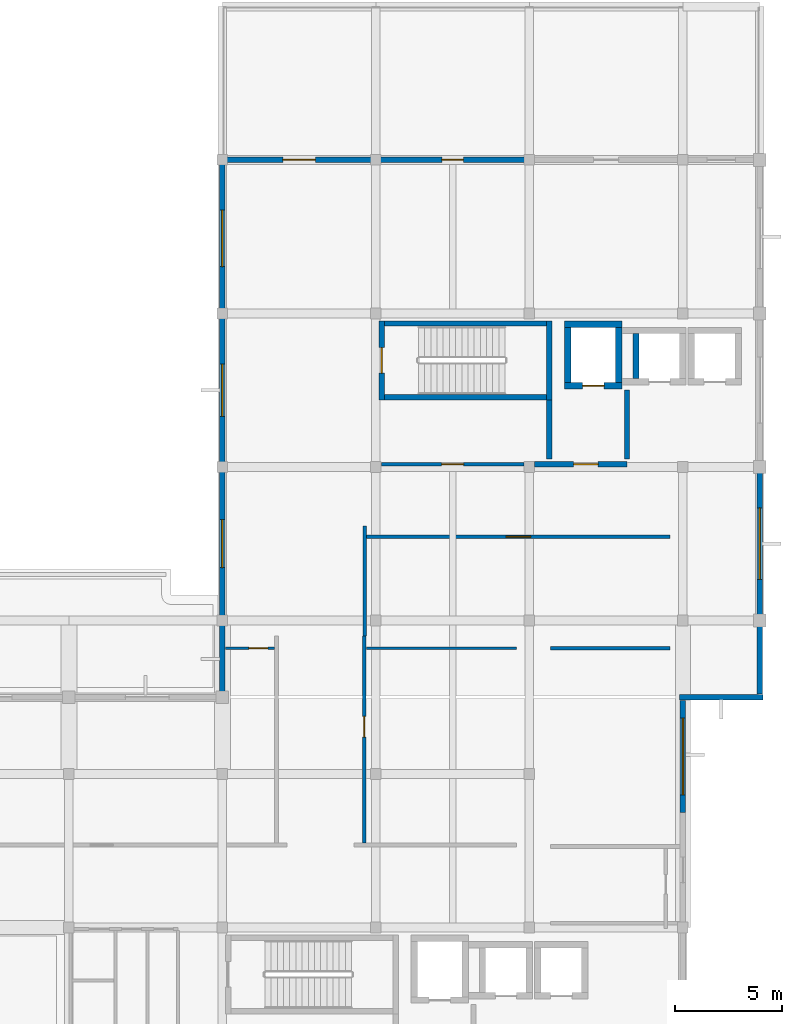
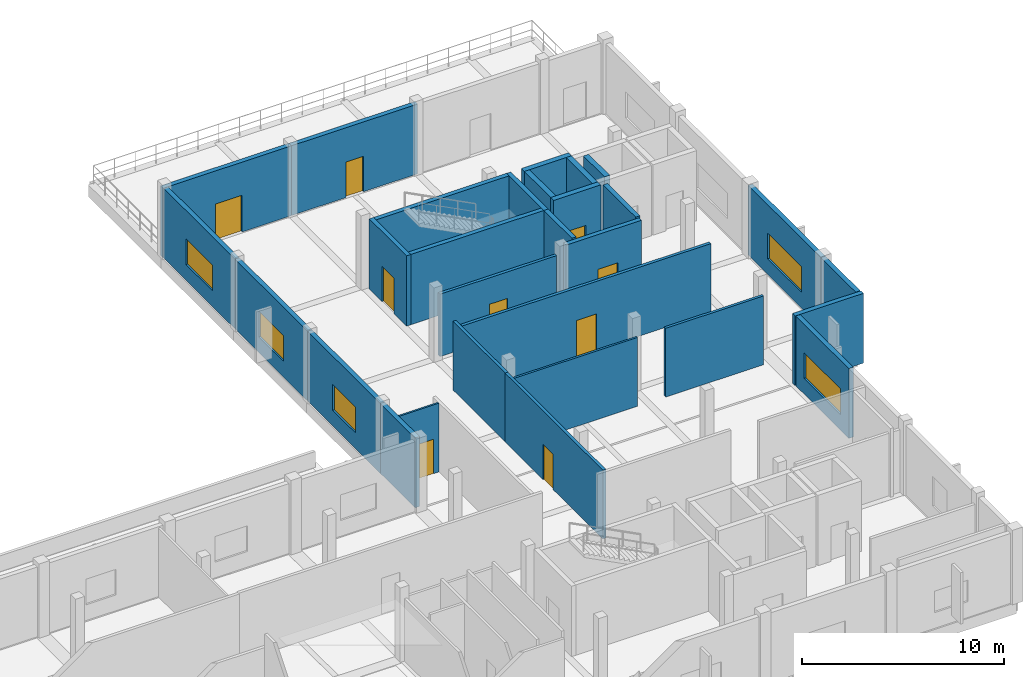
# One storey, part 5 of 9: 29 walls, 9 doors, 5 windows, 14 openings.
"""IFC4 building model written with IfcOpenShell, lengths in metres."""

from ifc_helpers import new_model, si_unit, direction, frame, frame_2d, origin, place, context, subcontext, project, spatial, rectangle, extrude, material, layer, layer_set, type_object, element, fill, save


model = new_model("IFC4")

# Units and contexts
model_context = context("Model", 3, precision=1e-05, world=origin(), true_north=direction((0.0, 1.0)))
body_context = subcontext(model_context, "Body", "Model", "MODEL_VIEW")
ifc_project = project(units=[si_unit("LENGTHUNIT", "METRE"), si_unit("AREAUNIT", "SQUARE_METRE"), si_unit("VOLUMEUNIT", "CUBIC_METRE"), si_unit("PLANEANGLEUNIT", "RADIAN"), si_unit("MASSUNIT", "GRAM", prefix="KILO")], contexts=[model_context])

# Site, building, storey
site_placement = place(None, origin())
site = spatial("IfcSite", under=ifc_project, at=site_placement, CompositionType="ELEMENT")
building_placement = place(site_placement, origin())
building = spatial("IfcBuilding", under=site, at=building_placement, Name="Seraya Terrace Polytechnic", CompositionType="ELEMENT")
storey_placement = place(building_placement, frame((0.0, 0.0, 32.39990234375)))
storey = spatial("IfcBuildingStorey", under=building, at=storey_placement, Name="L07", CompositionType="ELEMENT", Elevation=32.39990234375)

# Wall
ifc_material_1 = material(Name="Precast concrete C40/50", Category="concrete")
ifc_layer_1 = layer(ifc_material_1, 0.260009765625, Name="EW-03")
ifc_layer_set_1 = layer_set([ifc_layer_1], Name="Precast concrete C40/50")
wall_type_1 = type_object("IfcWallType", Name="EW-03", PredefinedType="SOLIDWALL", material=ifc_layer_set_1)
wall_1_placement = place(storey_placement, frame((79.199951171875, 25.35205078125, 0.0), z_axis=(0.0, 0.0, 1.0), x_axis=(0.0, 1.0, 0.0)))
element("IfcWall", 1, at=wall_1_placement, inside=storey, type_object=wall_type_1, Name="Exterior structural wall EW-03 L07", PredefinedType="SOLIDWALL", context=body_context, shape_type="SweptSolid", body=[
    extrude(rectangle(XDim=3.447998046875, YDim=0.260009765625, at=frame_2d((1.72412109375, 0.0))), origin(), (0.0, 0.0, 1.0), 4.22021484375),
])

# Wall, opening, window
wall_2_placement = place(storey_placement, frame((79.199951171875, 28.800048828125, 0.0), z_axis=(0.0, 0.0, 1.0), x_axis=(0.0, 1.0, 0.0)))
wall_2 = element("IfcWall", 2, at=wall_2_placement, inside=storey, type_object=wall_type_1, Name="Exterior structural wall EW-03 L07", PredefinedType="SOLIDWALL", context=body_context, shape_type="SweptSolid", body=[
    extrude(rectangle(XDim=7.199951171875, YDim=0.260009765625, at=frame_2d((3.60009765625, 0.0))), origin(), (0.0, 0.0, 1.0), 4.22021484375),
])
opening_1_placement = place(wall_2_placement, frame((2.47509765625, 0.0, 0.949951171875)))
opening_1 = element("IfcOpeningElement", 3, at=opening_1_placement, cuts=wall_2, Name="Opening WN-20", PredefinedType="OPENING", context=body_context, shape_type="SweptSolid", body=[
    extrude(rectangle(XDim=2.25, YDim=1.550048828125, at=frame_2d((1.125, 0.77490234375))), frame((0.0, 0.14208984375, 0.0), z_axis=(0.0, -1.0, 0.0), x_axis=(1.0, 0.0, 0.0)), (0.0, 0.0, 1.0), 0.283935546875),
])
ifc_material_2 = material(Name="Laminated solar-control Low-E double glazing", Category="glass")
window_type_1 = type_object("IfcWindowType", Name="WN-20", PartitioningType="SINGLE_PANEL", PredefinedType="WINDOW", material=ifc_material_2)
window_1_placement = place(opening_1_placement, origin())
window_1 = element("IfcWindow", 4, at=window_1_placement, inside=storey, type_object=window_type_1, Name="Exterior window WN-20 L07", OverallHeight=1.550048828125, OverallWidth=2.25, PartitioningType="SINGLE_PANEL", PredefinedType="WINDOW", context=body_context, shape_type="SweptSolid", body=[
    extrude(rectangle(XDim=2.25, YDim=1.550048828125, at=frame_2d((1.125, 0.77490234375))), frame((0.0, 0.030029296875, 0.0), z_axis=(0.0, -1.0, 0.0), x_axis=(1.0, 0.0, 0.0)), (0.0, 0.0, 1.0), 0.06005859375),
])
fill(opening_1, window_1)

wall_3_placement = place(storey_placement, frame((79.199951171875, 36.0, 0.0), z_axis=(0.0, 0.0, 1.0), x_axis=(0.0, 1.0, 0.0)))
wall_3 = element("IfcWall", 5, at=wall_3_placement, inside=storey, type_object=wall_type_1, Name="Exterior structural wall EW-03 L07", PredefinedType="SOLIDWALL", context=body_context, shape_type="SweptSolid", body=[
    extrude(rectangle(XDim=7.199951171875, YDim=0.260009765625, at=frame_2d((3.60009765625, 0.0))), origin(), (0.0, 0.0, 1.0), 4.22021484375),
])
opening_2_placement = place(wall_3_placement, frame((2.375, 0.0, 0.949951171875)))
opening_2 = element("IfcOpeningElement", 6, at=opening_2_placement, cuts=wall_3, Name="Opening WN-21", PredefinedType="OPENING", context=body_context, shape_type="SweptSolid", body=[
    extrude(rectangle(XDim=2.449951171875, YDim=1.550048828125, at=frame_2d((1.22509765625, 0.77490234375))), frame((0.0, 0.14208984375, 0.0), z_axis=(0.0, -1.0, 0.0), x_axis=(1.0, 0.0, 0.0)), (0.0, 0.0, 1.0), 0.283935546875),
])
window_type_2 = type_object("IfcWindowType", Name="WN-21", PartitioningType="SINGLE_PANEL", PredefinedType="WINDOW", material=ifc_material_2)
window_2_placement = place(opening_2_placement, origin())
window_2 = element("IfcWindow", 7, at=window_2_placement, inside=storey, type_object=window_type_2, Name="Exterior window WN-21 L07", OverallHeight=1.550048828125, OverallWidth=2.449951171875, PartitioningType="SINGLE_PANEL", PredefinedType="WINDOW", context=body_context, shape_type="SweptSolid", body=[
    extrude(rectangle(XDim=2.449951171875, YDim=1.550048828125, at=frame_2d((1.22509765625, 0.77490234375))), frame((0.0, 0.030029296875, 0.0), z_axis=(0.0, -1.0, 0.0), x_axis=(1.0, 0.0, 0.0)), (0.0, 0.0, 1.0), 0.06005859375),
])
fill(opening_2, window_2)

wall_4_placement = place(storey_placement, frame((79.199951171875, 43.199951171875, 0.0), z_axis=(0.0, 0.0, 1.0), x_axis=(0.0, 1.0, 0.0)))
wall_4 = element("IfcWall", 8, at=wall_4_placement, inside=storey, type_object=wall_type_1, Name="Exterior structural wall EW-03 L07", PredefinedType="SOLIDWALL", context=body_context, shape_type="SweptSolid", body=[
    extrude(rectangle(XDim=7.048095703125, YDim=0.260009765625, at=frame_2d((3.52392578125, 0.0))), origin(), (0.0, 0.0, 1.0), 4.22021484375),
])
opening_3_placement = place(wall_4_placement, frame((2.198974609375, 0.0, 0.949951171875)))
opening_3 = element("IfcOpeningElement", 9, at=opening_3_placement, cuts=wall_4, Name="Opening WN-22", PredefinedType="OPENING", context=body_context, shape_type="SweptSolid", body=[
    extrude(rectangle(XDim=2.64990234375, YDim=1.550048828125, at=frame_2d((1.324951171875, 0.77490234375))), frame((0.0, 0.14208984375, 0.0), z_axis=(0.0, -1.0, 0.0), x_axis=(1.0, 0.0, 0.0)), (0.0, 0.0, 1.0), 0.283935546875),
])
window_type_3 = type_object("IfcWindowType", Name="WN-22", PartitioningType="SINGLE_PANEL", PredefinedType="WINDOW", material=ifc_material_2)
window_3_placement = place(opening_3_placement, origin())
window_3 = element("IfcWindow", 10, at=window_3_placement, inside=storey, type_object=window_type_3, Name="Exterior window WN-22 L07", OverallHeight=1.550048828125, OverallWidth=2.64990234375, PartitioningType="SINGLE_PANEL", PredefinedType="WINDOW", context=body_context, shape_type="SweptSolid", body=[
    extrude(rectangle(XDim=2.64990234375, YDim=1.550048828125, at=frame_2d((1.324951171875, 0.77490234375))), frame((0.0, 0.030029296875, 0.0), z_axis=(0.0, -1.0, 0.0), x_axis=(1.0, 0.0, 0.0)), (0.0, 0.0, 1.0), 0.06005859375),
])
fill(opening_3, window_3)

# Wall, opening, door
wall_5_placement = place(storey_placement, frame((79.050048828125, 50.39990234375, 0.0), z_axis=(0.0, 0.0, 1.0), x_axis=(1.0, 0.0, 0.0)))
wall_5 = element("IfcWall", 11, at=wall_5_placement, inside=storey, type_object=wall_type_1, Name="Exterior structural wall EW-03 L07", PredefinedType="SOLIDWALL", context=body_context, shape_type="SweptSolid", body=[
    extrude(rectangle(XDim=7.349853515625, YDim=0.260009765625, at=frame_2d((3.6748046875, 0.0))), origin(), (0.0, 0.0, 1.0), 4.22021484375),
])
opening_4_placement = place(wall_5_placement, frame((2.989990234375, 0.0, 0.0)))
opening_4 = element("IfcOpeningElement", 12, at=opening_4_placement, cuts=wall_5, Name="Opening TD-04", PredefinedType="OPENING", context=body_context, shape_type="SweptSolid", body=[
    extrude(rectangle(XDim=1.52001953125, YDim=2.219970703125, at=frame_2d((0.760009765625, 1.10986328125))), frame((0.0, 0.14208984375, 0.0), z_axis=(0.0, -1.0, 0.0), x_axis=(1.0, 0.0, 0.0)), (0.0, 0.0, 1.0), 0.283935546875),
])
ifc_material_3 = material(Name="Anodised aluminium EN AW-6063 T6", Category="aluminium")
door_type_1 = type_object("IfcDoorType", Name="TD-04", OperationType="DOUBLE_DOOR_SINGLE_SWING", PredefinedType="DOOR", material=ifc_material_3)
door_1_placement = place(opening_4_placement, origin())
door_1 = element("IfcDoor", 13, at=door_1_placement, inside=storey, type_object=door_type_1, Name="Door TD-04 DR-TERR-L07-06-00 in WL-EXT-L07-06-00", OperationType="DOUBLE_DOOR_SINGLE_SWING", OverallHeight=2.219970703125, OverallWidth=1.52001953125, PredefinedType="DOOR", context=body_context, shape_type="SweptSolid", body=[
    extrude(rectangle(XDim=1.52001953125, YDim=2.219970703125, at=frame_2d((0.760009765625, 1.10986328125))), frame((0.0, 0.02490234375, 0.0), z_axis=(0.0, -1.0, 0.0), x_axis=(1.0, 0.0, 0.0)), (0.0, 0.0, 1.0), 0.050048828125),
])
fill(opening_4, door_1)

wall_6_placement = place(storey_placement, frame((86.39990234375, 50.39990234375, 0.0), z_axis=(0.0, 0.0, 1.0), x_axis=(1.0, 0.0, 0.0)))
wall_6 = element("IfcWall", 14, at=wall_6_placement, inside=storey, type_object=wall_type_1, Name="Exterior structural wall EW-03 L07", PredefinedType="SOLIDWALL", context=body_context, shape_type="SweptSolid", body=[
    extrude(rectangle(XDim=7.2001953125, YDim=0.260009765625, at=frame_2d((3.60009765625, 0.0))), origin(), (0.0, 0.0, 1.0), 4.22021484375),
])
opening_5_placement = place(wall_6_placement, frame((3.10009765625, 0.0, 0.0)))
opening_5 = element("IfcOpeningElement", 15, at=opening_5_placement, cuts=wall_6, Name="Opening TD-01", PredefinedType="OPENING", context=body_context, shape_type="SweptSolid", body=[
    extrude(rectangle(XDim=1.0, YDim=2.14990234375, at=frame_2d((0.5, 1.074951171875))), frame((0.0, 0.14208984375, 0.0), z_axis=(0.0, -1.0, 0.0), x_axis=(1.0, 0.0, 0.0)), (0.0, 0.0, 1.0), 0.283935546875),
])
door_type_2 = type_object("IfcDoorType", Name="TD-01", OperationType="NOTDEFINED", PredefinedType="DOOR", material=ifc_material_3)
door_2_placement = place(opening_5_placement, origin())
door_2 = element("IfcDoor", 16, at=door_2_placement, inside=storey, type_object=door_type_2, Name="Door TD-01 DR-TERR-L07-06-01 in WL-EXT-L07-06-01", OperationType="SINGLE_SWING_RIGHT", OverallHeight=2.14990234375, OverallWidth=1.0, PredefinedType="DOOR", context=body_context, shape_type="SweptSolid", body=[
    extrude(rectangle(XDim=1.0, YDim=2.14990234375, at=frame_2d((0.5, 1.074951171875))), frame((0.0, 0.02490234375, 0.0), z_axis=(0.0, -1.0, 0.0), x_axis=(1.0, 0.0, 0.0)), (0.0, 0.0, 1.0), 0.050048828125),
])
fill(opening_5, door_2)

# Wall, opening, window
wall_7_placement = place(storey_placement, frame((104.39990234375, 36.0, 0.0), z_axis=(0.0, 0.0, 1.0), x_axis=(0.0, -1.0, 0.0)))
wall_7 = element("IfcWall", 17, at=wall_7_placement, inside=storey, type_object=wall_type_1, Name="Exterior structural wall EW-03 L07", PredefinedType="SOLIDWALL", context=body_context, shape_type="SweptSolid", body=[
    extrude(rectangle(XDim=7.199951171875, YDim=0.260009765625, at=frame_2d((3.60009765625, 0.0))), origin(), (0.0, 0.0, 1.0), 4.22021484375),
])
opening_6_placement = place(wall_7_placement, frame((1.925048828125, 0.0, 0.949951171875)))
opening_6 = element("IfcOpeningElement", 18, at=opening_6_placement, cuts=wall_7, Name="Opening WN-25", PredefinedType="OPENING", context=body_context, shape_type="SweptSolid", body=[
    extrude(rectangle(XDim=3.35009765625, YDim=1.550048828125, at=frame_2d((1.675048828125, 0.77490234375))), frame((0.0, 0.14208984375, 0.0), z_axis=(0.0, -1.0, 0.0), x_axis=(1.0, 0.0, 0.0)), (0.0, 0.0, 1.0), 0.283935546875),
])
window_type_4 = type_object("IfcWindowType", Name="WN-25", PartitioningType="SINGLE_PANEL", PredefinedType="WINDOW", material=ifc_material_2)
window_4_placement = place(opening_6_placement, origin())
window_4 = element("IfcWindow", 19, at=window_4_placement, inside=storey, type_object=window_type_4, Name="Exterior window WN-25 L07", OverallHeight=1.550048828125, OverallWidth=3.35009765625, PartitioningType="SINGLE_PANEL", PredefinedType="WINDOW", context=body_context, shape_type="SweptSolid", body=[
    extrude(rectangle(XDim=3.35009765625, YDim=1.550048828125, at=frame_2d((1.675048828125, 0.77490234375))), frame((0.0, 0.030029296875, 0.0), z_axis=(0.0, -1.0, 0.0), x_axis=(1.0, 0.0, 0.0)), (0.0, 0.0, 1.0), 0.06005859375),
])
fill(opening_6, window_4)

# Walls
wall_8_placement = place(storey_placement, frame((104.39990234375, 28.800048828125, 0.0), z_axis=(0.0, 0.0, 1.0), x_axis=(0.0, -1.0, 0.0)))
element("IfcWall", 20, at=wall_8_placement, inside=storey, type_object=wall_type_1, Name="Exterior structural wall EW-03 L07", PredefinedType="SOLIDWALL", context=body_context, shape_type="SweptSolid", body=[
    extrude(rectangle(XDim=3.447998046875, YDim=0.260009765625, at=frame_2d((1.72412109375, 0.0))), origin(), (0.0, 0.0, 1.0), 4.22021484375),
])
wall_9_placement = place(storey_placement, frame((104.550048828125, 25.199951171875, 0.0), z_axis=(0.0, 0.0, 1.0), x_axis=(-1.0, 0.0, 0.0)))
element("IfcWall", 21, at=wall_9_placement, inside=storey, type_object=wall_type_1, Name="Exterior structural wall EW-03 L07", PredefinedType="SOLIDWALL", context=body_context, shape_type="SweptSolid", body=[
    extrude(rectangle(XDim=3.900146484375, YDim=0.260009765625, at=frame_2d((1.9501953125, 0.0))), origin(), (0.0, 0.0, 1.0), 4.22021484375),
])

# Wall, opening, window
wall_10_placement = place(storey_placement, frame((100.800048828125, 25.048095703125, 0.0), z_axis=(0.0, 0.0, 1.0), x_axis=(0.0, -1.0, 0.0)))
wall_10 = element("IfcWall", 22, at=wall_10_placement, inside=storey, type_object=wall_type_1, Name="Exterior structural wall EW-03 L07", PredefinedType="SOLIDWALL", context=body_context, shape_type="SweptSolid", body=[
    extrude(rectangle(XDim=5.248046875, YDim=0.260009765625, at=frame_2d((2.6240234375, 0.0))), origin(), (0.0, 0.0, 1.0), 4.22021484375),
])
opening_7_placement = place(wall_10_placement, frame((0.823974609375, 0.0, 0.949951171875)))
opening_7 = element("IfcOpeningElement", 23, at=opening_7_placement, cuts=wall_10, Name="Opening WN-26", PredefinedType="OPENING", context=body_context, shape_type="SweptSolid", body=[
    extrude(rectangle(XDim=3.60009765625, YDim=1.550048828125, at=frame_2d((1.800048828125, 0.77490234375))), frame((0.0, 0.14208984375, 0.0), z_axis=(0.0, -1.0, 0.0), x_axis=(1.0, 0.0, 0.0)), (0.0, 0.0, 1.0), 0.283935546875),
])
window_type_5 = type_object("IfcWindowType", Name="WN-26", PartitioningType="SINGLE_PANEL", PredefinedType="WINDOW", material=ifc_material_2)
window_5_placement = place(opening_7_placement, origin())
window_5 = element("IfcWindow", 24, at=window_5_placement, inside=storey, type_object=window_type_5, Name="Exterior window WN-26 L07", OverallHeight=1.550048828125, OverallWidth=3.60009765625, PartitioningType="SINGLE_PANEL", PredefinedType="WINDOW", context=body_context, shape_type="SweptSolid", body=[
    extrude(rectangle(XDim=3.60009765625, YDim=1.550048828125, at=frame_2d((1.800048828125, 0.77490234375))), frame((0.0, 0.030029296875, 0.0), z_axis=(0.0, -1.0, 0.0), x_axis=(1.0, 0.0, 0.0)), (0.0, 0.0, 1.0), 0.06005859375),
])
fill(opening_7, window_5)

# Wall, opening, door
ifc_material_4 = material(Name="Autoclaved aerated concrete blockwork", Category="masonry")
ifc_layer_2 = layer(ifc_material_4, 0.169921875, Name="PT-02")
ifc_layer_set_2 = layer_set([ifc_layer_2], Name="Autoclaved aerated concrete blockwork")
wall_type_2 = type_object("IfcWallType", Name="PT-02", PredefinedType="PARTITIONING", material=ifc_layer_set_2)
wall_11_placement = place(storey_placement, frame((85.86328125, 18.3701171875, 0.0), z_axis=(0.0, 0.0, 1.0), x_axis=(0.0, 1.0, 0.0)))
wall_11 = element("IfcWall", 25, at=wall_11_placement, inside=storey, type_object=wall_type_2, Name="Internal partition PT-02 L07", PredefinedType="PARTITIONING", context=body_context, shape_type="SweptSolid", body=[
    extrude(rectangle(XDim=9.68994140625, YDim=0.169921875, at=frame_2d((4.844970703125, 0.0))), origin(), (0.0, 0.0, 1.0), 4.16015625),
])
opening_8_placement = place(wall_11_placement, frame((4.955078125, 0.0, 0.0)))
opening_8 = element("IfcOpeningElement", 26, at=opening_8_placement, cuts=wall_11, Name="Opening ID-03", PredefinedType="OPENING", context=body_context, shape_type="SweptSolid", body=[
    extrude(rectangle(XDim=0.97998046875, YDim=2.139892578125, at=frame_2d((0.489990234375, 1.06982421875))), frame((0.0, 0.096923828125, 0.0), z_axis=(0.0, -1.0, 0.0), x_axis=(1.0, 0.0, 0.0)), (0.0, 0.0, 1.0), 0.19384765625),
])
ifc_material_5 = material(Name="Malaysian dark red meranti hardwood timber D40", Category="wood")
door_type_3 = type_object("IfcDoorType", Name="ID-03", OperationType="NOTDEFINED", PredefinedType="DOOR", material=ifc_material_5)
door_3_placement = place(opening_8_placement, origin())
door_3 = element("IfcDoor", 27, at=door_3_placement, inside=storey, type_object=door_type_3, Name="Door ID-03 DR-INT-L07-0272 in WL-INT-L07-0792", OperationType="SINGLE_SWING_LEFT", OverallHeight=2.139892578125, OverallWidth=0.97998046875, PredefinedType="DOOR", context=body_context, shape_type="SweptSolid", body=[
    extrude(rectangle(XDim=0.97998046875, YDim=2.139892578125, at=frame_2d((0.489990234375, 1.06982421875))), frame((0.0, 0.02490234375, 0.0), z_axis=(0.0, -1.0, 0.0), x_axis=(1.0, 0.0, 0.0)), (0.0, 0.0, 1.0), 0.050048828125),
])
fill(opening_8, door_3)

# Wall
wall_12_placement = place(storey_placement, frame((85.8701171875, 28.06005859375, 0.0), z_axis=(0.0, 0.0, 1.0), x_axis=(0.0, 1.0, 0.0)))
element("IfcWall", 28, at=wall_12_placement, inside=storey, type_object=wall_type_2, Name="Internal partition PT-02 L07", PredefinedType="PARTITIONING", context=body_context, shape_type="SweptSolid", body=[
    extrude(rectangle(XDim=5.159912109375, YDim=0.169921875, at=frame_2d((2.580078125, 0.0))), origin(), (0.0, 0.0, 1.0), 4.16015625),
])

# Wall, opening, door
wall_13_placement = place(storey_placement, frame((86.659912109375, 36.1201171875, 0.0), z_axis=(0.0, 0.0, 1.0), x_axis=(1.0, 0.0, 0.0)))
wall_13 = element("IfcWall", 29, at=wall_13_placement, inside=storey, type_object=wall_type_2, Name="Internal partition PT-02 L07", PredefinedType="PARTITIONING", context=body_context, shape_type="SweptSolid", body=[
    extrude(rectangle(XDim=6.68017578125, YDim=0.169921875, at=frame_2d((3.340087890625, 0.0))), origin(), (0.0, 0.0, 1.0), 3.780029296875),
])
opening_9_placement = place(wall_13_placement, frame((2.820068359375, 0.0, 0.0)))
opening_9 = element("IfcOpeningElement", 30, at=opening_9_placement, cuts=wall_13, Name="Opening ID-04", PredefinedType="OPENING", context=body_context, shape_type="SweptSolid", body=[
    extrude(rectangle(XDim=1.0400390625, YDim=2.179931640625, at=frame_2d((0.52001953125, 1.08984375))), frame((0.0, 0.096923828125, 0.0), z_axis=(0.0, -1.0, 0.0), x_axis=(1.0, 0.0, 0.0)), (0.0, 0.0, 1.0), 0.19384765625),
])
door_type_4 = type_object("IfcDoorType", Name="ID-04", OperationType="NOTDEFINED", PredefinedType="DOOR", material=ifc_material_5)
door_4_placement = place(opening_9_placement, frame((1.0400390625, 0.0, 0.0), z_axis=(0.0, 0.0, 1.0), x_axis=(-1.0, 0.0, 0.0)))
door_4 = element("IfcDoor", 31, at=door_4_placement, inside=storey, type_object=door_type_4, Name="Door ID-04 DR-INT-L07-0273 in WL-INT-L07-0794", OperationType="SINGLE_SWING_RIGHT", OverallHeight=2.179931640625, OverallWidth=1.0400390625, PredefinedType="DOOR", context=body_context, shape_type="SweptSolid", body=[
    extrude(rectangle(XDim=1.0400390625, YDim=2.179931640625, at=frame_2d((0.52001953125, 1.08984375))), frame((0.0, 0.02490234375, 0.0), z_axis=(0.0, -1.0, 0.0), x_axis=(1.0, 0.0, 0.0)), (0.0, 0.0, 1.0), 0.050048828125),
])
fill(opening_9, door_4)

wall_14_placement = place(storey_placement, frame((85.969970703125, 32.72998046875, 0.0), z_axis=(0.0, 0.0, 1.0), x_axis=(1.0, 0.0, 0.0)))
wall_14 = element("IfcWall", 32, at=wall_14_placement, inside=storey, type_object=wall_type_2, Name="Internal partition PT-02 L07", PredefinedType="PARTITIONING", context=body_context, shape_type="SweptSolid", body=[
    extrude(rectangle(XDim=14.22998046875, YDim=0.169921875, at=frame_2d((7.114990234375, 0.0))), origin(), (0.0, 0.0, 1.0), 4.16015625),
])
opening_10_placement = place(wall_14_placement, frame((6.544921875, 0.0, 0.0)))
opening_10 = element("IfcOpeningElement", 33, at=opening_10_placement, cuts=wall_14, Name="Opening ID-06", PredefinedType="OPENING", context=body_context, shape_type="SweptSolid", body=[
    extrude(rectangle(XDim=1.139892578125, YDim=2.199951171875, at=frame_2d((0.56982421875, 1.10009765625))), frame((0.0, 0.096923828125, 0.0), z_axis=(0.0, -1.0, 0.0), x_axis=(1.0, 0.0, 0.0)), (0.0, 0.0, 1.0), 0.19384765625),
])
door_type_5 = type_object("IfcDoorType", Name="ID-06", OperationType="NOTDEFINED", PredefinedType="DOOR", material=ifc_material_5)
door_5_placement = place(opening_10_placement, frame((1.139892578125, 0.0, 0.0), z_axis=(0.0, 0.0, 1.0), x_axis=(-1.0, 0.0, 0.0)))
door_5 = element("IfcDoor", 34, at=door_5_placement, inside=storey, type_object=door_type_5, Name="Door ID-06 DR-INT-L07-0275 in WL-INT-L07-0795", OperationType="SINGLE_SWING_RIGHT", OverallHeight=2.199951171875, OverallWidth=1.139892578125, PredefinedType="DOOR", context=body_context, shape_type="SweptSolid", body=[
    extrude(rectangle(XDim=1.139892578125, YDim=2.199951171875, at=frame_2d((0.56982421875, 1.10009765625))), frame((0.0, 0.02490234375, 0.0), z_axis=(0.0, -1.0, 0.0), x_axis=(1.0, 0.0, 0.0)), (0.0, 0.0, 1.0), 0.050048828125),
])
fill(opening_10, door_5)

# Walls
ifc_layer_3 = layer(ifc_material_4, 0.14990234375, Name="PT-03")
ifc_layer_set_3 = layer_set([ifc_layer_3], Name="Autoclaved aerated concrete blockwork")
wall_type_3 = type_object("IfcWallType", Name="PT-03", PredefinedType="PARTITIONING", material=ifc_layer_set_3)
wall_15_placement = place(storey_placement, frame((94.60009765625, 27.5, 0.0), z_axis=(0.0, 0.0, 1.0), x_axis=(1.0, 0.0, 0.0)))
element("IfcWall", 35, at=wall_15_placement, inside=storey, type_object=wall_type_3, Name="Internal partition PT-03 L07", PredefinedType="PARTITIONING", context=body_context, shape_type="SweptSolid", body=[
    extrude(rectangle(XDim=5.599853515625, YDim=0.14990234375, at=frame_2d((2.7998046875, 0.0))), origin(), (0.0, 0.0, 1.0), 4.16015625),
])
ifc_layer_4 = layer(ifc_material_4, 0.1201171875, Name="PT-05")
ifc_layer_set_4 = layer_set([ifc_layer_4], Name="Autoclaved aerated concrete blockwork")
wall_type_4 = type_object("IfcWallType", Name="PT-05", PredefinedType="PARTITIONING", material=ifc_layer_set_4)
wall_16_placement = place(storey_placement, frame((85.963134765625, 27.5, 0.0), z_axis=(0.0, 0.0, 1.0), x_axis=(1.0, 0.0, 0.0)))
element("IfcWall", 36, at=wall_16_placement, inside=storey, type_object=wall_type_4, Name="Internal partition PT-05 L07", PredefinedType="PARTITIONING", context=body_context, shape_type="SweptSolid", body=[
    extrude(rectangle(XDim=7.036865234375, YDim=0.1201171875, at=frame_2d((3.5185546875, 0.0))), origin(), (0.0, 0.0, 1.0), 4.16015625),
])

# Wall, opening, door
ifc_layer_5 = layer(ifc_material_4, 0.10009765625, Name="PT-06")
ifc_layer_set_5 = layer_set([ifc_layer_5], Name="Autoclaved aerated concrete blockwork")
wall_type_5 = type_object("IfcWallType", Name="PT-06", PredefinedType="PARTITIONING", material=ifc_layer_set_5)
wall_17_placement = place(storey_placement, frame((79.342041015625, 27.5, 0.0), z_axis=(0.0, 0.0, 1.0), x_axis=(1.0, 0.0, 0.0)))
wall_17 = element("IfcWall", 37, at=wall_17_placement, inside=storey, type_object=wall_type_5, Name="Internal partition PT-06 L07", PredefinedType="PARTITIONING", context=body_context, shape_type="SweptSolid", body=[
    extrude(rectangle(XDim=2.294677734375, YDim=0.10009765625, at=frame_2d((1.1474609375, 0.0))), origin(), (0.0, 0.0, 1.0), 4.16015625),
])
opening_11_placement = place(wall_17_placement, frame((1.097412109375, 0.0, 0.0)))
opening_11 = element("IfcOpeningElement", 38, at=opening_11_placement, cuts=wall_17, Name="Opening ID-02", PredefinedType="OPENING", context=body_context, shape_type="SweptSolid", body=[
    extrude(rectangle(XDim=0.89990234375, YDim=2.080078125, at=frame_2d((0.449951171875, 1.0400390625))), frame((0.0, 0.06201171875, 0.0), z_axis=(0.0, -1.0, 0.0), x_axis=(1.0, 0.0, 0.0)), (0.0, 0.0, 1.0), 0.1240234375),
])
door_type_6 = type_object("IfcDoorType", Name="ID-02", OperationType="NOTDEFINED", PredefinedType="DOOR", material=ifc_material_5)
door_6_placement = place(opening_11_placement, frame((0.89990234375, 0.0, 0.0), z_axis=(0.0, 0.0, 1.0), x_axis=(-1.0, 0.0, 0.0)))
door_6 = element("IfcDoor", 39, at=door_6_placement, inside=storey, type_object=door_type_6, Name="Door ID-02 DR-INT-L07-0277 in WL-INT-L07-0798", OperationType="SINGLE_SWING_RIGHT", OverallHeight=2.080078125, OverallWidth=0.89990234375, PredefinedType="DOOR", context=body_context, shape_type="SweptSolid", body=[
    extrude(rectangle(XDim=0.89990234375, YDim=2.080078125, at=frame_2d((0.449951171875, 1.0400390625))), frame((0.0, 0.02490234375, 0.0), z_axis=(0.0, -1.0, 0.0), x_axis=(1.0, 0.0, 0.0)), (0.0, 0.0, 1.0), 0.050048828125),
])
fill(opening_11, door_6)

ifc_material_6 = material(Name="Concrete C40/50", Category="concrete")
ifc_layer_6 = layer(ifc_material_6, 0.300048828125, Name="SW-01")
ifc_layer_set_6 = layer_set([ifc_layer_6], Name="Concrete C40/50")
wall_type_6 = type_object("IfcWallType", Name="SW-01", PredefinedType="SHEAR", material=ifc_layer_set_6)
wall_18_placement = place(storey_placement, frame((95.25, 39.800048828125, 0.0), z_axis=(0.0, 0.0, 1.0), x_axis=(1.0, 0.0, 0.0)))
wall_18 = element("IfcWall", 40, at=wall_18_placement, inside=storey, type_object=wall_type_6, Name="Lift shaft FL-02 South wall L07", PredefinedType="SHEAR", context=body_context, shape_type="SweptSolid", body=[
    extrude(rectangle(XDim=2.699951171875, YDim=0.300048828125, at=frame_2d((1.35009765625, 0.0))), origin(), (0.0, 0.0, 1.0), 4.25),
])
opening_12_placement = place(wall_18_placement, frame((0.85009765625, 0.0, 0.0)))
opening_12 = element("IfcOpeningElement", 41, at=opening_12_placement, cuts=wall_18, Name="Opening LD-01", PredefinedType="OPENING", context=body_context, shape_type="SweptSolid", body=[
    extrude(rectangle(XDim=1.0, YDim=2.10009765625, at=frame_2d((0.5, 1.050048828125))), frame((0.0, 0.162109375, 0.0), z_axis=(0.0, -1.0, 0.0), x_axis=(1.0, 0.0, 0.0)), (0.0, 0.0, 1.0), 0.323974609375),
])
ifc_material_7 = material(Name="Steel S355J2", Category="steel")
door_type_7 = type_object("IfcDoorType", Name="LD-01", OperationType="SLIDING_TO_LEFT", PredefinedType="DOOR", material=ifc_material_7)
door_7_placement = place(opening_12_placement, frame((1.0, 0.0, 0.0), z_axis=(0.0, 0.0, 1.0), x_axis=(-1.0, 0.0, 0.0)))
door_7 = element("IfcDoor", 42, at=door_7_placement, inside=storey, type_object=door_type_7, Name="Door LD-01 LD-FL-02-L07 in WL-SHF-FL-02-L07-S", OperationType="SLIDING_TO_RIGHT", OverallHeight=2.10009765625, OverallWidth=1.0, PredefinedType="DOOR", context=body_context, shape_type="SweptSolid", body=[
    extrude(rectangle(XDim=1.0, YDim=2.10009765625, at=frame_2d((0.5, 1.050048828125))), frame((0.0, 0.02490234375, 0.0), z_axis=(0.0, -1.0, 0.0), x_axis=(1.0, 0.0, 0.0)), (0.0, 0.0, 1.0), 0.050048828125),
])
fill(opening_12, door_7)

# Walls
wall_19_placement = place(storey_placement, frame((95.25, 42.699951171875, 0.0), z_axis=(0.0, 0.0, 1.0), x_axis=(1.0, 0.0, 0.0)))
element("IfcWall", 43, at=wall_19_placement, inside=storey, type_object=wall_type_6, Name="Lift shaft FL-02 North wall L07", PredefinedType="SHEAR", context=body_context, shape_type="SweptSolid", body=[
    extrude(rectangle(XDim=2.699951171875, YDim=0.300048828125, at=frame_2d((1.35009765625, 0.0))), origin(), (0.0, 0.0, 1.0), 4.25),
])
for number, where, z_axis, x_axis, name in (
    (44, (95.39990234375, 39.949951171875, 0.0), (0.0, 0.0, 1.0), (0.0, 1.0, 0.0), "Lift shaft FL-02 West wall L07"),
    (45, (97.800048828125, 39.949951171875, 0.0), (0.0, 0.0, 1.0), (0.0, 1.0, 0.0), "Lift shaft FL-02 East wall L07"),
):
    element("IfcWall", number, at=place(storey_placement, frame(where, z_axis=z_axis, x_axis=x_axis)), inside=storey, type_object=wall_type_6, Name=name, PredefinedType="SHEAR", context=body_context, shape_type="SweptSolid", body=[
        extrude(rectangle(XDim=2.60009765625, YDim=0.300048828125, at=frame_2d((1.300048828125, 0.0))), origin(), (0.0, 0.0, 1.0), 4.25),
    ])
wall_20_placement = place(storey_placement, frame((98.60009765625, 40.14990234375, 0.0), z_axis=(0.0, 0.0, 1.0), x_axis=(0.0, 1.0, 0.0)))
element("IfcWall", 46, at=wall_20_placement, inside=storey, type_object=wall_type_6, Name="Lift shaft PL-03 West wall L07", PredefinedType="SHEAR", context=body_context, shape_type="SweptSolid", body=[
    extrude(rectangle(XDim=2.10009765625, YDim=0.300048828125, at=frame_2d((1.050048828125, 0.0))), origin(), (0.0, 0.0, 1.0), 4.25),
])

# Wall, opening, door
ifc_layer_7 = layer(ifc_material_6, 0.25, Name="SW-02")
ifc_layer_set_7 = layer_set([ifc_layer_7], Name="Concrete C40/50")
wall_type_7 = type_object("IfcWallType", Name="SW-02", PredefinedType="SHEAR", material=ifc_layer_set_7)
wall_21_placement = place(storey_placement, frame((86.675048828125, 39.14990234375, 0.0), z_axis=(0.0, 0.0, 1.0), x_axis=(0.0, 1.0, 0.0)))
wall_21 = element("IfcWall", 47, at=wall_21_placement, inside=storey, type_object=wall_type_7, Name="Stairwell ST-02 West wall L07", PredefinedType="SHEAR", context=body_context, shape_type="SweptSolid", body=[
    extrude(rectangle(XDim=3.7001953125, YDim=0.25, at=frame_2d((1.85009765625, 0.0))), origin(), (0.0, 0.0, 1.0), 4.25),
])
opening_13_placement = place(wall_21_placement, frame((1.25, 0.0, 0.0)))
opening_13 = element("IfcOpeningElement", 48, at=opening_13_placement, cuts=wall_21, Name="Opening FD-01", PredefinedType="OPENING", context=body_context, shape_type="SweptSolid", body=[
    extrude(rectangle(XDim=1.199951171875, YDim=2.14990234375, at=frame_2d((0.60009765625, 1.074951171875))), frame((0.0, 0.136962890625, 0.0), z_axis=(0.0, -1.0, 0.0), x_axis=(1.0, 0.0, 0.0)), (0.0, 0.0, 1.0), 0.27392578125),
])
door_type_8 = type_object("IfcDoorType", Name="FD-01", OperationType="NOTDEFINED", PredefinedType="DOOR", material=ifc_material_7)
door_8_placement = place(opening_13_placement, frame((1.199951171875, 0.0, 0.0), z_axis=(0.0, 0.0, 1.0), x_axis=(-1.0, 0.0, 0.0)))
door_8 = element("IfcDoor", 49, at=door_8_placement, inside=storey, type_object=door_type_8, Name="Door FD-01 DR-STR-ST-02-L07 in WL-STR-ST-02-L07-W", OperationType="SINGLE_SWING_RIGHT", OverallHeight=2.14990234375, OverallWidth=1.199951171875, PredefinedType="DOOR", context=body_context, shape_type="SweptSolid", body=[
    extrude(rectangle(XDim=1.199951171875, YDim=2.14990234375, at=frame_2d((0.60009765625, 1.074951171875))), frame((0.0, 0.02490234375, 0.0), z_axis=(0.0, -1.0, 0.0), x_axis=(1.0, 0.0, 0.0)), (0.0, 0.0, 1.0), 0.050048828125),
])
fill(opening_13, door_8)

# Walls
wall_22_placement = place(storey_placement, frame((94.52490234375, 39.14990234375, 0.0), z_axis=(0.0, 0.0, 1.0), x_axis=(0.0, 1.0, 0.0)))
element("IfcWall", 50, at=wall_22_placement, inside=storey, type_object=wall_type_7, Name="Stairwell ST-02 East wall L07", PredefinedType="SHEAR", context=body_context, shape_type="SweptSolid", body=[
    extrude(rectangle(XDim=3.7001953125, YDim=0.25, at=frame_2d((1.85009765625, 0.0))), origin(), (0.0, 0.0, 1.0), 4.25),
])
for number, where, z_axis, x_axis, name in (
    (51, (86.800048828125, 39.27490234375, 0.0), (0.0, 0.0, 1.0), (1.0, 0.0, 0.0), "Stairwell ST-02 South wall L07"),
    (52, (86.800048828125, 42.72509765625, 0.0), (0.0, 0.0, 1.0), (1.0, 0.0, 0.0), "Stairwell ST-02 North wall L07"),
):
    element("IfcWall", number, at=place(storey_placement, frame(where, z_axis=z_axis, x_axis=x_axis)), inside=storey, type_object=wall_type_7, Name=name, PredefinedType="SHEAR", context=body_context, shape_type="SweptSolid", body=[
        extrude(rectangle(XDim=7.599853515625, YDim=0.25, at=frame_2d((3.7998046875, 0.0))), origin(), (0.0, 0.0, 1.0), 4.25),
    ])

# Wall, opening, door
wall_23_placement = place(storey_placement, frame((93.85009765625, 36.125, 0.0), z_axis=(0.0, 0.0, 1.0), x_axis=(1.0, 0.0, 0.0)))
wall_23 = element("IfcWall", 53, at=wall_23_placement, inside=storey, type_object=wall_type_7, Name="Firefighting lobby B South wall L07", PredefinedType="SHEAR", context=body_context, shape_type="SweptSolid", body=[
    extrude(rectangle(XDim=4.324951171875, YDim=0.25, at=frame_2d((2.16259765625, 0.0))), origin(), (0.0, 0.0, 1.0), 4.25),
])
opening_14_placement = place(wall_23_placement, frame((1.824951171875, 0.0, 0.0)))
opening_14 = element("IfcOpeningElement", 54, at=opening_14_placement, cuts=wall_23, Name="Opening FD-02", PredefinedType="OPENING", context=body_context, shape_type="SweptSolid", body=[
    extrude(rectangle(XDim=1.14990234375, YDim=2.14990234375, at=frame_2d((0.574951171875, 1.074951171875))), frame((0.0, 0.136962890625, 0.0), z_axis=(0.0, -1.0, 0.0), x_axis=(1.0, 0.0, 0.0)), (0.0, 0.0, 1.0), 0.27392578125),
])
door_type_9 = type_object("IfcDoorType", Name="FD-02", OperationType="NOTDEFINED", PredefinedType="DOOR", material=ifc_material_7)
door_9_placement = place(opening_14_placement, frame((1.14990234375, 0.0, 0.0), z_axis=(0.0, 0.0, 1.0), x_axis=(-1.0, 0.0, 0.0)))
door_9 = element("IfcDoor", 55, at=door_9_placement, inside=storey, type_object=door_type_9, Name="Door FD-02 DR-FFL-CORE-B-L07 in WL-FFL-CORE-B-L07-S", OperationType="SINGLE_SWING_LEFT", OverallHeight=2.14990234375, OverallWidth=1.14990234375, PredefinedType="DOOR", context=body_context, shape_type="SweptSolid", body=[
    extrude(rectangle(XDim=1.14990234375, YDim=2.14990234375, at=frame_2d((0.574951171875, 1.074951171875))), frame((0.0, 0.02490234375, 0.0), z_axis=(0.0, -1.0, 0.0), x_axis=(1.0, 0.0, 0.0)), (0.0, 0.0, 1.0), 0.050048828125),
])
fill(opening_14, door_9)

# Walls
wall_24_placement = place(storey_placement, frame((94.52490234375, 36.375, 0.0), z_axis=(0.0, 0.0, 1.0), x_axis=(0.0, 1.0, 0.0)))
element("IfcWall", 56, at=wall_24_placement, inside=storey, type_object=wall_type_7, Name="Firefighting lobby B West wall L07", PredefinedType="SHEAR", context=body_context, shape_type="SweptSolid", body=[
    extrude(rectangle(XDim=2.77001953125, YDim=0.25, at=frame_2d((1.385009765625, 0.0))), origin(), (0.0, 0.0, 1.0), 4.25),
])
wall_25_placement = place(storey_placement, frame((98.175048828125, 36.375, 0.0), z_axis=(0.0, 0.0, 1.0), x_axis=(0.0, 1.0, 0.0)))
element("IfcWall", 57, at=wall_25_placement, inside=storey, type_object=wall_type_7, Name="Firefighting lobby B East wall L07", PredefinedType="SHEAR", context=body_context, shape_type="SweptSolid", body=[
    extrude(rectangle(XDim=3.22509765625, YDim=0.25, at=frame_2d((1.612548828125, 0.0))), origin(), (0.0, 0.0, 1.0), 4.25),
])

save(model, "model.ifc")
